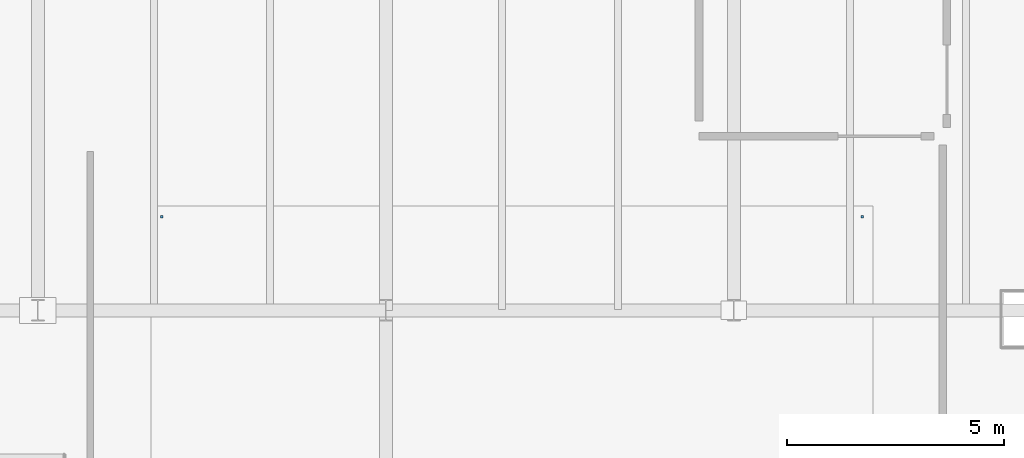
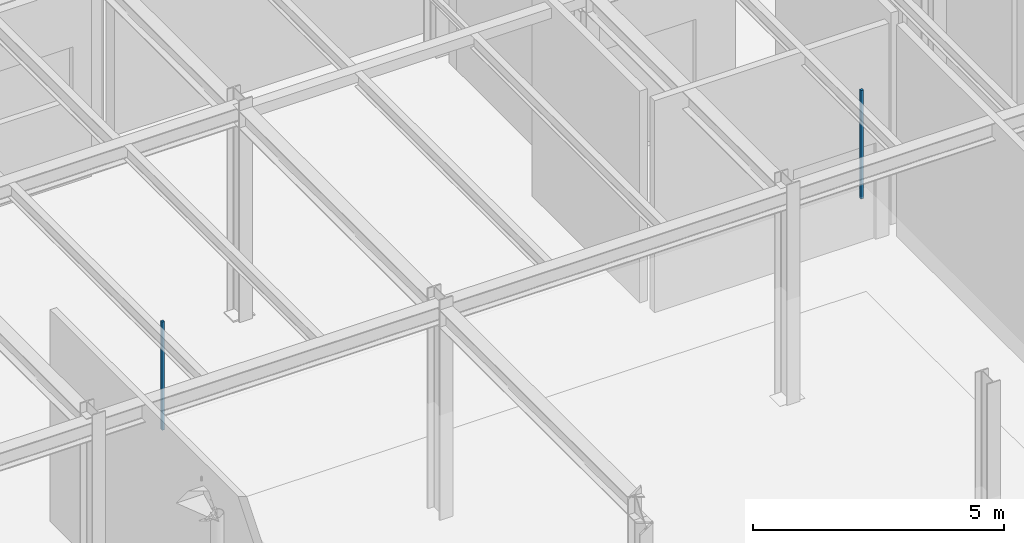
# One storey, part 101 of 129: 2 discrete accessories.
"""IFC4 building model written with IfcOpenShell, lengths in metres."""

from ifc_helpers import new_model, si_unit, direction, frame, origin, origin_2d, place, context, subcontext, project, spatial, rectangle, extrude, material, type_object, element, save


model = new_model("IFC4")

# Units and contexts
model_context = context("Model", 3, precision=1e-05, world=origin(), true_north=direction((0.0, 1.0)))
body_context = subcontext(model_context, "Body", "Model", "MODEL_VIEW")
ifc_project = project(units=[si_unit("LENGTHUNIT", "METRE"), si_unit("AREAUNIT", "SQUARE_METRE"), si_unit("VOLUMEUNIT", "CUBIC_METRE"), si_unit("PLANEANGLEUNIT", "RADIAN"), si_unit("MASSUNIT", "GRAM", prefix="KILO")], contexts=[model_context])

# Site, building, storey
site_placement = place(None, origin())
site = spatial("IfcSite", under=ifc_project, at=site_placement, CompositionType="ELEMENT")
building_placement = place(site_placement, origin())
building = spatial("IfcBuilding", under=site, at=building_placement, Name="Sundkrona Museum", CompositionType="ELEMENT")
storey_placement = place(building_placement, origin())
storey = spatial("IfcBuildingStorey", under=building, at=storey_placement, Name="L00", CompositionType="ELEMENT", Elevation=0.0)

# Discrete accessories
ifc_material = material(Name="Stainless Steel EN 1.4404 Cleat", Category="steel")
discrete_accessory_type = type_object("IfcDiscreteAccessoryType", Name="BRK-FIN-01", PredefinedType="BRACKET", material=ifc_material)
for number, where, z_axis, x_axis, name in (
    (1, (146.949951171875, 34.14990234375, 2.55029296875), (0.0, 0.0, 1.0), (1.0, 0.0, 0.0), "L00 Natural History Gallery Ceiling Hanger 3"),
    (2, (130.85009765625, 34.14990234375, 2.55029296875), (0.0, 0.0, 1.0), (1.0, 0.0, 0.0), "L00 Natural History Gallery Ceiling Hanger 4"),
):
    element("IfcDiscreteAccessory", number, at=place(storey_placement, frame(where, z_axis=z_axis, x_axis=x_axis)), inside=storey, type_object=discrete_accessory_type, Name=name, PredefinedType="BRACKET", context=body_context, shape_type="SweptSolid", body=[
        extrude(rectangle(XDim=0.06005859375, YDim=0.06005859375, at=origin_2d()), origin(), (0.0, 0.0, 1.0), 2.639892578125),
    ])

save(model, "model.ifc")
